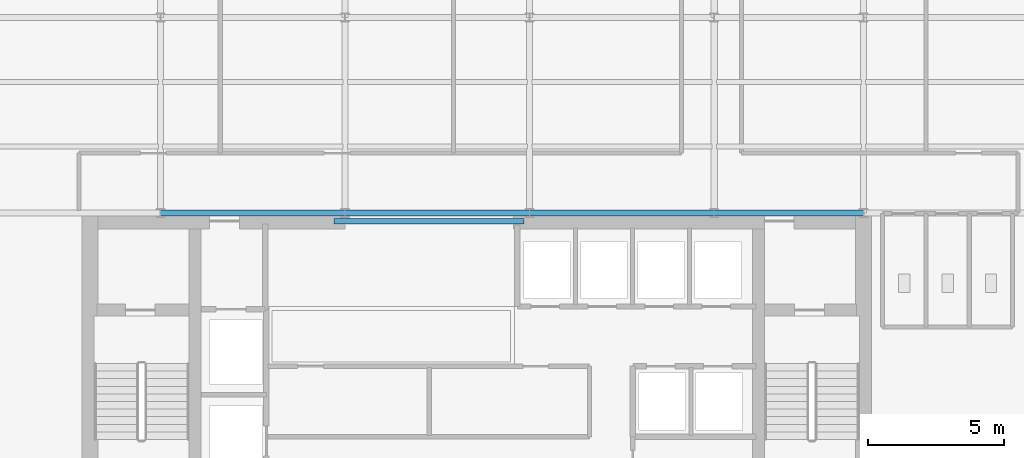
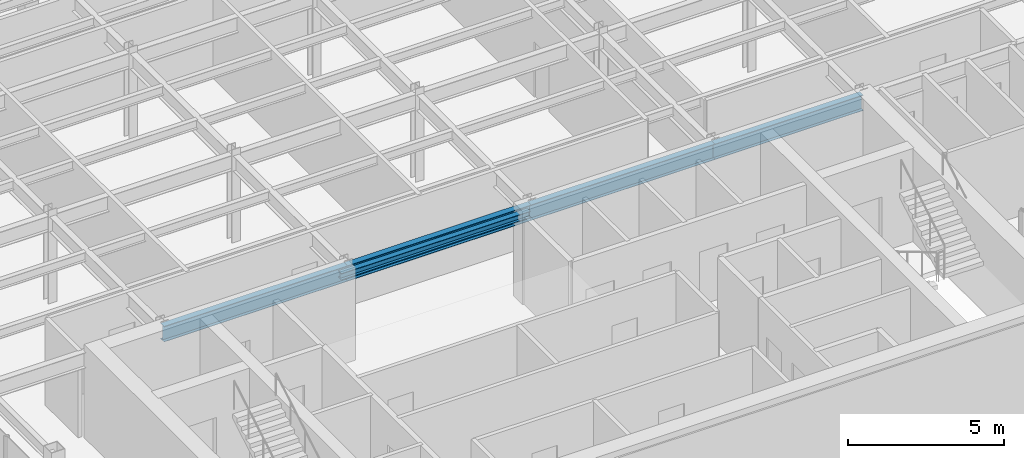
# One storey, part 4 of 22: 5 beams.
"""IFC4 building model written with IfcOpenShell, lengths in metres."""

import ifcopenshell
import ifcopenshell.guid

model = None  # the IFC model being written
_history = None  # IfcOwnerHistory: only IFC2X3 demands one
_inside = {}  # id of a spatial element -> (the spatial element, [elements in it])
_under = {}  # id of a project, library or spatial element -> (it, [spatial elements below it])
_declared = {}  # id of a project -> (the project, [libraries it declares])
_typed = {}  # id of a type object -> (the type object, [elements of that type])
_made_of = {}  # id of a material, layer set ... -> (it, [elements and type objects made of it])


def new_model(schema):
    """Start an empty IFC model of exactly this schema.

    Asked for "IFC4X3", IfcOpenShell would pick the latest addendum, in which some entities
    have other attributes; the version numbers below select the first issue.
    IFC2X3 requires an IfcOwnerHistory on every rooted entity: one is made here for all.
    """
    global model, _history
    if schema == "IFC4X3":
        model = ifcopenshell.file(schema_version=(4, 3, 0, 0))
    else:
        model = ifcopenshell.file(schema=schema)
    _inside.clear()
    _under.clear()
    _declared.clear()
    _typed.clear()
    _made_of.clear()
    _history = None
    if model.schema == "IFC2X3":
        org = make("IfcOrganization", Name="unknown")
        user = make(
            "IfcPersonAndOrganization",
            ThePerson=make("IfcPerson", FamilyName="unknown"),
            TheOrganization=org,
        )
        app = make(
            "IfcApplication",
            ApplicationDeveloper=org,
            Version="unknown",
            ApplicationFullName="unknown",
            ApplicationIdentifier="unknown",
        )
        _history = make(
            "IfcOwnerHistory",
            OwningUser=user,
            OwningApplication=app,
            ChangeAction="ADDED",
            CreationDate=0,
        )
    return model


def make(cls, **values):
    """One entity of the class cls with the attributes given. An attribute that is None is left unset."""
    return model.create_entity(
        cls, **{name: value for name, value in values.items() if value is not None}
    )


def rooted(cls, **values):
    """An entity with a GlobalId (a new one), such as an element, a storey or a relation."""
    return make(cls, GlobalId=ifcopenshell.guid.new(), OwnerHistory=_history, **values)


def si_unit(unit_type, name, prefix=None):
    """IfcSIUnit, for example si_unit("LENGTHUNIT", "METRE", prefix="MILLI")."""
    return make("IfcSIUnit", UnitType=unit_type, Prefix=prefix, Name=name)


def derived_unit(unit_type, elements):
    """IfcDerivedUnit: a product of units, each with its exponent."""
    return make(
        "IfcDerivedUnit",
        Elements=[
            make("IfcDerivedUnitElement", Unit=unit, Exponent=power)
            for unit, power in elements
        ],
        UnitType=unit_type,
    )


def assignment(units):
    """IfcUnitAssignment: the units of a project."""
    return None if units is None else make("IfcUnitAssignment", Units=units)


def point(xyz):
    """IfcCartesianPoint."""
    return None if xyz is None else make("IfcCartesianPoint", Coordinates=xyz)


def direction(xyz):
    """IfcDirection."""
    return None if xyz is None else make("IfcDirection", DirectionRatios=xyz)


def frame(location, z_axis=None, x_axis=None):
    """IfcAxis2Placement3D, a coordinate frame: its origin and axes. An axis left out is left unset."""
    return make(
        "IfcAxis2Placement3D",
        Location=point(location),
        Axis=direction(z_axis),
        RefDirection=direction(x_axis),
    )


def frame_2d(location, x_axis=None):
    """IfcAxis2Placement2D, a coordinate frame in the plane: its origin and x axis."""
    return make(
        "IfcAxis2Placement2D", Location=point(location), RefDirection=direction(x_axis)
    )


def origin():
    """The frame at (0, 0, 0) with its axes left unset."""
    return frame((0.0, 0.0, 0.0))


def origin_2d():
    """The frame at (0, 0) in the plane with its x axis left unset."""
    return frame_2d((0.0, 0.0))


def place(relative_to, where):
    """IfcLocalPlacement: puts the frame where relative to a parent placement (None: the world)."""
    return make(
        "IfcLocalPlacement", PlacementRelTo=relative_to, RelativePlacement=where
    )


def context(
    kind, dimensions, precision=None, world=None, true_north=None, identifier=None
):
    """IfcGeometricRepresentationContext, for example the 3D "Model" context."""
    return make(
        "IfcGeometricRepresentationContext",
        ContextIdentifier=identifier,
        ContextType=kind,
        CoordinateSpaceDimension=dimensions,
        Precision=precision,
        WorldCoordinateSystem=world,
        TrueNorth=true_north,
    )


def subcontext(parent, identifier, kind, view, scale=None):
    """IfcGeometricRepresentationSubContext, for example "Body" below "Model"."""
    return make(
        "IfcGeometricRepresentationSubContext",
        ContextIdentifier=identifier,
        ContextType=kind,
        ParentContext=parent,
        TargetScale=scale,
        TargetView=view,
    )


def project(units=None, contexts=None):
    """IfcProject with its units and contexts."""
    return rooted(
        "IfcProject",
        Name="project",
        RepresentationContexts=contexts,
        UnitsInContext=assignment(units),
    )


def spatial(cls, under=None, at=None, **own):
    """A site, building, storey or space (cls), placed at a placement, below another one or the project."""
    s = rooted(cls, ObjectPlacement=at, **own)
    if under is not None:
        _under.setdefault(under.id(), (under, []))[1].append(s)
    return s


def profile(cls, at=None, kind="AREA", **sizes):
    """A parametric profile (cls). Its sizes go by their IFC names, for example OverallWidth=200.0."""
    return make(cls, ProfileType=kind, Position=at, **sizes)


def i_section(**sizes):
    """IfcIShapeProfileDef."""
    return profile("IfcIShapeProfileDef", **sizes)


def extrude(swept, where, along, depth):
    """IfcExtrudedAreaSolid: the profile swept, set in the frame where, extruded along a direction by depth."""
    return make(
        "IfcExtrudedAreaSolid",
        SweptArea=swept,
        Position=where,
        ExtrudedDirection=direction(along),
        Depth=depth,
    )


def shape(context_of_items, identifier, shape_type, items):
    """IfcShapeRepresentation: the items that make up one representation, for example the "Body"."""
    return make(
        "IfcShapeRepresentation",
        ContextOfItems=context_of_items,
        RepresentationIdentifier=identifier,
        RepresentationType=shape_type,
        Items=items,
    )


def source(mapping_origin, context_of_items, identifier, shape_type, items):
    """IfcRepresentationMap: a shape defined once, which mapped items show again and again."""
    return make(
        "IfcRepresentationMap",
        MappingOrigin=mapping_origin,
        MappedRepresentation=shape(context_of_items, identifier, shape_type, items),
    )


def transform(
    local_origin,
    x_axis=None,
    y_axis=None,
    z_axis=None,
    scale=None,
    scale2=None,
    scale3=None,
    uniform=True,
):
    """IfcCartesianTransformationOperator3D, or its non-uniform kind. x_axis, y_axis, z_axis: its Axis1, 2, 3."""
    if uniform:
        return make(
            "IfcCartesianTransformationOperator3D",
            Axis1=direction(x_axis),
            Axis2=direction(y_axis),
            LocalOrigin=point(local_origin),
            Scale=scale,
            Axis3=direction(z_axis),
        )
    return make(
        "IfcCartesianTransformationOperator3DnonUniform",
        Axis1=direction(x_axis),
        Axis2=direction(y_axis),
        LocalOrigin=point(local_origin),
        Scale=scale,
        Axis3=direction(z_axis),
        Scale2=scale2,
        Scale3=scale3,
    )


def mapped(mapping_source, mapping_target):
    """IfcMappedItem: shows the shape of a source again, moved by a transform."""
    return make(
        "IfcMappedItem", MappingSource=mapping_source, MappingTarget=mapping_target
    )


def material(Name=None, Category=None):
    """IfcMaterial."""
    return make("IfcMaterial", Name=Name, Category=Category)


def material_profile(
    of_material, cross_section, Name=None, Category=None, Priority=None
):
    """IfcMaterialProfile: a cross section and its material."""
    return make(
        "IfcMaterialProfile",
        Name=Name,
        Material=of_material,
        Profile=cross_section,
        Priority=Priority,
        Category=Category,
    )


def profile_set(profiles, Name=None, composite=None):
    """IfcMaterialProfileSet."""
    return make(
        "IfcMaterialProfileSet",
        Name=Name,
        MaterialProfiles=profiles,
        CompositeProfile=composite,
    )


def made_of(thing, what):
    """Note that an element or type object is made of a material, layer set ...; save() writes the relation."""
    if what is not None:
        _made_of.setdefault(what.id(), (what, []))[1].append(thing)
    return thing


def type_object(cls, material=None, **own):
    """A type object (cls), such as IfcWallType, which elements share."""
    return made_of(rooted(cls, **own), material)


def element(
    cls,
    number,
    at=None,
    inside=None,
    cuts=None,
    type_object=None,
    material=None,
    context=None,
    identifier="Body",
    shape_type=None,
    held_by="IfcProductDefinitionShape",
    body=None,
    shapes=None,
    **own,
):
    """One element of the class cls, such as IfcWall. Its Tag is "e" and its number.

    at: its placement. inside: the storey or other place that contains it. cuts: it is an
    opening in that element (IfcRelVoidsElement). A single representation is given by context,
    identifier, shape_type and body (its items); several are given by shapes. held_by: the class
    of the entity that holds the representations. save() writes the other relations.
    """
    e = rooted(cls, Tag="e%d" % number, ObjectPlacement=at, **own)
    if body is not None:
        shapes = [shape(context, identifier, shape_type, body)]
    if shapes is not None:
        e.Representation = make(held_by, Representations=shapes)
    if inside is not None:
        _inside.setdefault(inside.id(), (inside, []))[1].append(e)
    if cuts is not None:
        rooted(
            "IfcRelVoidsElement", RelatingBuildingElement=cuts, RelatedOpeningElement=e
        )
    if type_object is not None:
        _typed.setdefault(type_object.id(), (type_object, []))[1].append(e)
    return made_of(e, material)


def aggregate(whole, parts):
    """IfcRelAggregates: a whole, such as a stair, and the parts it consists of."""
    return rooted("IfcRelAggregates", RelatingObject=whole, RelatedObjects=parts)


def save(model, path):
    """Write the relations noted so far, then the file.

    IfcRelAggregates (storeys below a building ...), IfcRelContainedInSpatialStructure (elements
    in a storey), IfcRelDefinesByType, IfcRelAssociatesMaterial and IfcRelDeclares: one each for
    every whole, place, type object, material and project.
    """
    for whole, parts in _under.values():
        aggregate(whole, parts)
    for where, things in _inside.values():
        rooted(
            "IfcRelContainedInSpatialStructure",
            RelatedElements=things,
            RelatingStructure=where,
        )
    for kind, things in _typed.values():
        rooted("IfcRelDefinesByType", RelatedObjects=things, RelatingType=kind)
    for what, things in _made_of.values():
        rooted("IfcRelAssociatesMaterial", RelatedObjects=things, RelatingMaterial=what)
    for by, libraries in _declared.values():
        rooted("IfcRelDeclares", RelatingContext=by, RelatedDefinitions=libraries)
    model.write(path)


model = new_model("IFC4")

# Units and contexts
model_context = context("Model", 3, precision=1e-05, world=origin(), true_north=direction((0.0, 1.0)))
body_context = subcontext(model_context, "Body", "Model", "MODEL_VIEW")
ifc_project = project(units=[si_unit("LENGTHUNIT", "METRE"), si_unit("AREAUNIT", "SQUARE_METRE"), si_unit("VOLUMEUNIT", "CUBIC_METRE"), si_unit("PLANEANGLEUNIT", "RADIAN"), si_unit("MASSUNIT", "GRAM", prefix="KILO"), derived_unit("THERMALTRANSMITTANCEUNIT", [(si_unit("POWERUNIT", "WATT"), 1), (si_unit("LENGTHUNIT", "METRE"), -2), (si_unit("THERMODYNAMICTEMPERATUREUNIT", "KELVIN"), -1)])], contexts=[model_context])

# Site, building, storey
site_placement = place(None, origin())
site = spatial("IfcSite", under=ifc_project, at=site_placement, CompositionType="ELEMENT")
building_placement = place(site_placement, origin())
building = spatial("IfcBuilding", under=site, at=building_placement, Name="Skarnbrae Concourse Arena and Tower", CompositionType="ELEMENT")
storey_placement = place(building_placement, frame((0.0, 0.0, 203.199951171875)))
storey = spatial("IfcBuildingStorey", under=building, at=storey_placement, Name="L52", CompositionType="ELEMENT", Elevation=203.199951171875)

# Beams
ifc_material = material(Name="Steel CSA G40.21 350W", Category="steel")
ifc_material_profile_1 = material_profile(ifc_material, i_section(OverallWidth=0.202880859375, OverallDepth=0.251953125, WebThickness=0.008056640625, FlangeThickness=0.013427734375, at=origin_2d()), Name="W250X58")
ifc_profile_set_1 = profile_set([ifc_material_profile_1], Name="Steel CSA G40.21 350W")
beam_type_1 = type_object("IfcBeamType", Name="BM-LINTEL-W250X58", PredefinedType="LINTEL", material=ifc_profile_set_1)
shared_shape_1 = source(origin(), body_context, "Body", "SweptSolid", [
    extrude(i_section(OverallWidth=0.202880859375, OverallDepth=0.251953125, WebThickness=0.008056640625, FlangeThickness=0.013427734375, at=origin_2d()), origin(), (0.0, 0.0, 1.0), 7.0),
])
beam_1_placement = place(storey_placement, frame((14.0, 13.699951171875, 3.274169921875), z_axis=(1.0, 0.0, 0.0), x_axis=(0.0, 1.0, 0.0)))
element("IfcBeam", 1, at=beam_1_placement, inside=storey, type_object=beam_type_1, Name="L52 Core portal coupling lintel", PredefinedType="LINTEL", context=body_context, shape_type="MappedRepresentation", body=[
    mapped(shared_shape_1, transform((0.0, 0.0, 0.0))),
])
ifc_material_profile_2 = material_profile(ifc_material, i_section(OverallWidth=0.22802734375, OverallDepth=0.60791015625, WebThickness=0.01123046875, FlangeThickness=0.017333984375, at=origin_2d()), Name="W610X113")
ifc_profile_set_2 = profile_set([ifc_material_profile_2], Name="Steel CSA G40.21 350W")
beam_type_2 = type_object("IfcBeamType", Name="BM-GIRD-W610X113", PredefinedType="BEAM", material=ifc_profile_set_2)
shared_shape_2 = source(origin(), body_context, "Body", "SweptSolid", [
    extrude(i_section(OverallWidth=0.22802734375, OverallDepth=0.60791015625, WebThickness=0.01123046875, FlangeThickness=0.017333984375, at=origin_2d()), origin(), (0.0, 0.0, 1.0), 6.7998046875),
])
beam_2_placement = place(storey_placement, frame((7.60009765625, 14.0, 3.095947265625), z_axis=(1.0, 0.0, 0.0), x_axis=(0.0, 1.0, 0.0)))
element("IfcBeam", 2, at=beam_2_placement, inside=storey, type_object=beam_type_2, Name="L52 Primary E-W girder Y14.0-2", PredefinedType="BEAM", context=body_context, shape_type="MappedRepresentation", body=[
    mapped(shared_shape_2, transform((0.0, 0.0, 0.0))),
])
shared_shape_3 = source(origin(), body_context, "Body", "SweptSolid", [
    extrude(i_section(OverallWidth=0.22802734375, OverallDepth=0.60791015625, WebThickness=0.01123046875, FlangeThickness=0.017333984375, at=origin_2d()), origin(), (0.0, 0.0, 1.0), 6.800048828125),
])
for number, where, z_axis, x_axis, name in (
    (3, (14.39990234375, 14.0, 3.095947265625), (1.0, 0.0, 0.0), (0.0, 1.0, 0.0), "L52 Primary E-W girder Y14.0-3"),
    (4, (21.199951171875, 14.0, 3.095947265625), (1.0, 0.0, 0.0), (0.0, 1.0, 0.0), "L52 Primary E-W girder Y14.0-4"),
):
    element("IfcBeam", number, at=place(storey_placement, frame(where, z_axis=z_axis, x_axis=x_axis)), inside=storey, type_object=beam_type_2, Name=name, PredefinedType="BEAM", context=body_context, shape_type="MappedRepresentation", body=[
        mapped(shared_shape_3, transform((0.0, 0.0, 0.0))),
    ])
shared_shape_4 = source(origin(), body_context, "Body", "SweptSolid", [
    extrude(i_section(OverallWidth=0.22802734375, OverallDepth=0.60791015625, WebThickness=0.01123046875, FlangeThickness=0.017333984375, at=origin_2d()), origin(), (0.0, 0.0, 1.0), 5.5),
])
beam_3_placement = place(storey_placement, frame((28.0, 14.0, 3.095947265625), z_axis=(1.0, 0.0, 0.0), x_axis=(0.0, 1.0, 0.0)))
element("IfcBeam", 5, at=beam_3_placement, inside=storey, type_object=beam_type_2, Name="L52 Primary E-W girder Y14.0-5", PredefinedType="BEAM", context=body_context, shape_type="MappedRepresentation", body=[
    mapped(shared_shape_4, transform((0.0, 0.0, 0.0))),
])

save(model, "model.ifc")
